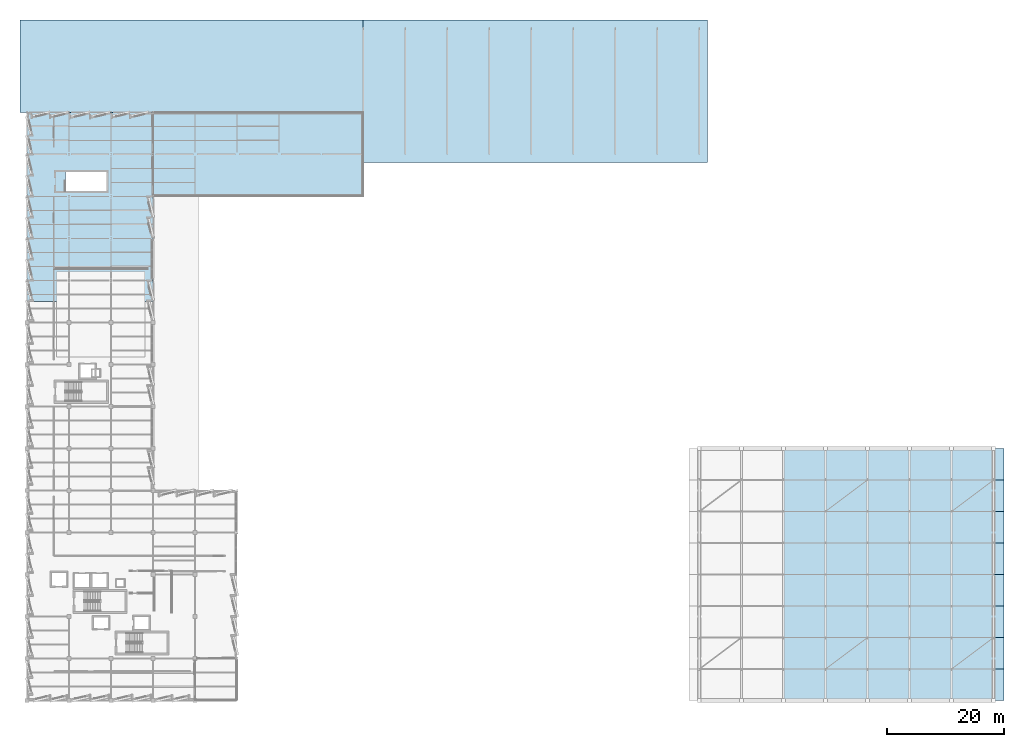
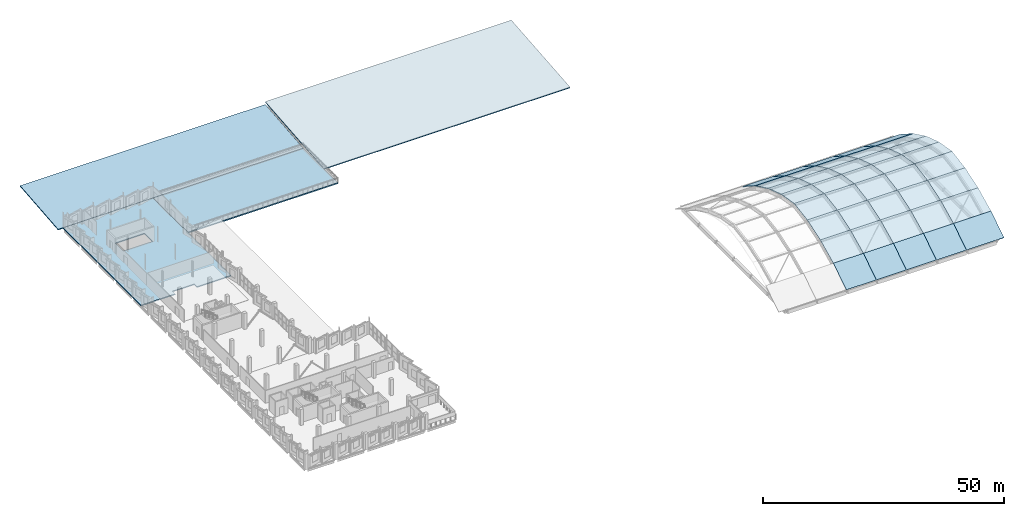
# One storey, part 25 of 38: 44 slabs.
"""IFC4 building model written with IfcOpenShell, lengths in metres."""

import ifcopenshell
import ifcopenshell.guid

model = None  # the IFC model being written
_history = None  # IfcOwnerHistory: only IFC2X3 demands one
_inside = {}  # id of a spatial element -> (the spatial element, [elements in it])
_under = {}  # id of a project, library or spatial element -> (it, [spatial elements below it])
_declared = {}  # id of a project -> (the project, [libraries it declares])
_typed = {}  # id of a type object -> (the type object, [elements of that type])
_made_of = {}  # id of a material, layer set ... -> (it, [elements and type objects made of it])


def new_model(schema):
    """Start an empty IFC model of exactly this schema.

    Asked for "IFC4X3", IfcOpenShell would pick the latest addendum, in which some entities
    have other attributes; the version numbers below select the first issue.
    IFC2X3 requires an IfcOwnerHistory on every rooted entity: one is made here for all.
    """
    global model, _history
    if schema == "IFC4X3":
        model = ifcopenshell.file(schema_version=(4, 3, 0, 0))
    else:
        model = ifcopenshell.file(schema=schema)
    _inside.clear()
    _under.clear()
    _declared.clear()
    _typed.clear()
    _made_of.clear()
    _history = None
    if model.schema == "IFC2X3":
        org = make("IfcOrganization", Name="unknown")
        user = make(
            "IfcPersonAndOrganization",
            ThePerson=make("IfcPerson", FamilyName="unknown"),
            TheOrganization=org,
        )
        app = make(
            "IfcApplication",
            ApplicationDeveloper=org,
            Version="unknown",
            ApplicationFullName="unknown",
            ApplicationIdentifier="unknown",
        )
        _history = make(
            "IfcOwnerHistory",
            OwningUser=user,
            OwningApplication=app,
            ChangeAction="ADDED",
            CreationDate=0,
        )
    return model


def make(cls, **values):
    """One entity of the class cls with the attributes given. An attribute that is None is left unset."""
    return model.create_entity(
        cls, **{name: value for name, value in values.items() if value is not None}
    )


def rooted(cls, **values):
    """An entity with a GlobalId (a new one), such as an element, a storey or a relation."""
    return make(cls, GlobalId=ifcopenshell.guid.new(), OwnerHistory=_history, **values)


def si_unit(unit_type, name, prefix=None):
    """IfcSIUnit, for example si_unit("LENGTHUNIT", "METRE", prefix="MILLI")."""
    return make("IfcSIUnit", UnitType=unit_type, Prefix=prefix, Name=name)


def assignment(units):
    """IfcUnitAssignment: the units of a project."""
    return None if units is None else make("IfcUnitAssignment", Units=units)


def point(xyz):
    """IfcCartesianPoint."""
    return None if xyz is None else make("IfcCartesianPoint", Coordinates=xyz)


def direction(xyz):
    """IfcDirection."""
    return None if xyz is None else make("IfcDirection", DirectionRatios=xyz)


def frame(location, z_axis=None, x_axis=None):
    """IfcAxis2Placement3D, a coordinate frame: its origin and axes. An axis left out is left unset."""
    return make(
        "IfcAxis2Placement3D",
        Location=point(location),
        Axis=direction(z_axis),
        RefDirection=direction(x_axis),
    )


def origin():
    """The frame at (0, 0, 0) with its axes left unset."""
    return frame((0.0, 0.0, 0.0))


def place(relative_to, where):
    """IfcLocalPlacement: puts the frame where relative to a parent placement (None: the world)."""
    return make(
        "IfcLocalPlacement", PlacementRelTo=relative_to, RelativePlacement=where
    )


def context(
    kind, dimensions, precision=None, world=None, true_north=None, identifier=None
):
    """IfcGeometricRepresentationContext, for example the 3D "Model" context."""
    return make(
        "IfcGeometricRepresentationContext",
        ContextIdentifier=identifier,
        ContextType=kind,
        CoordinateSpaceDimension=dimensions,
        Precision=precision,
        WorldCoordinateSystem=world,
        TrueNorth=true_north,
    )


def subcontext(parent, identifier, kind, view, scale=None):
    """IfcGeometricRepresentationSubContext, for example "Body" below "Model"."""
    return make(
        "IfcGeometricRepresentationSubContext",
        ContextIdentifier=identifier,
        ContextType=kind,
        ParentContext=parent,
        TargetScale=scale,
        TargetView=view,
    )


def project(units=None, contexts=None):
    """IfcProject with its units and contexts."""
    return rooted(
        "IfcProject",
        Name="project",
        RepresentationContexts=contexts,
        UnitsInContext=assignment(units),
    )


def spatial(cls, under=None, at=None, **own):
    """A site, building, storey or space (cls), placed at a placement, below another one or the project."""
    s = rooted(cls, ObjectPlacement=at, **own)
    if under is not None:
        _under.setdefault(under.id(), (under, []))[1].append(s)
    return s


def polyline(points):
    """IfcPolyline through the points."""
    return make("IfcPolyline", Points=[point(p) for p in points])


def outline(outer, holes=None, kind="AREA"):
    """IfcArbitraryClosedProfileDef: a profile drawn as a closed curve; with holes, ...WithVoids."""
    if holes is None:
        return make("IfcArbitraryClosedProfileDef", ProfileType=kind, OuterCurve=outer)
    return make(
        "IfcArbitraryProfileDefWithVoids",
        ProfileType=kind,
        OuterCurve=outer,
        InnerCurves=holes,
    )


def extrude(swept, where, along, depth):
    """IfcExtrudedAreaSolid: the profile swept, set in the frame where, extruded along a direction by depth."""
    return make(
        "IfcExtrudedAreaSolid",
        SweptArea=swept,
        Position=where,
        ExtrudedDirection=direction(along),
        Depth=depth,
    )


def shape(context_of_items, identifier, shape_type, items):
    """IfcShapeRepresentation: the items that make up one representation, for example the "Body"."""
    return make(
        "IfcShapeRepresentation",
        ContextOfItems=context_of_items,
        RepresentationIdentifier=identifier,
        RepresentationType=shape_type,
        Items=items,
    )


def material(Name=None, Category=None):
    """IfcMaterial."""
    return make("IfcMaterial", Name=Name, Category=Category)


def layer(
    of_material, thickness, ventilated=None, Name=None, Category=None, Priority=None
):
    """IfcMaterialLayer: one layer of a wall or slab, of a material (None: an air gap)."""
    return make(
        "IfcMaterialLayer",
        Material=of_material,
        LayerThickness=thickness,
        IsVentilated=ventilated,
        Name=Name,
        Category=Category,
        Priority=Priority,
    )


def layer_set(layers, Name=None):
    """IfcMaterialLayerSet."""
    return make("IfcMaterialLayerSet", MaterialLayers=layers, LayerSetName=Name)


def made_of(thing, what):
    """Note that an element or type object is made of a material, layer set ...; save() writes the relation."""
    if what is not None:
        _made_of.setdefault(what.id(), (what, []))[1].append(thing)
    return thing


def type_object(cls, material=None, **own):
    """A type object (cls), such as IfcWallType, which elements share."""
    return made_of(rooted(cls, **own), material)


def element(
    cls,
    number,
    at=None,
    inside=None,
    cuts=None,
    type_object=None,
    material=None,
    context=None,
    identifier="Body",
    shape_type=None,
    held_by="IfcProductDefinitionShape",
    body=None,
    shapes=None,
    **own,
):
    """One element of the class cls, such as IfcWall. Its Tag is "e" and its number.

    at: its placement. inside: the storey or other place that contains it. cuts: it is an
    opening in that element (IfcRelVoidsElement). A single representation is given by context,
    identifier, shape_type and body (its items); several are given by shapes. held_by: the class
    of the entity that holds the representations. save() writes the other relations.
    """
    e = rooted(cls, Tag="e%d" % number, ObjectPlacement=at, **own)
    if body is not None:
        shapes = [shape(context, identifier, shape_type, body)]
    if shapes is not None:
        e.Representation = make(held_by, Representations=shapes)
    if inside is not None:
        _inside.setdefault(inside.id(), (inside, []))[1].append(e)
    if cuts is not None:
        rooted(
            "IfcRelVoidsElement", RelatingBuildingElement=cuts, RelatedOpeningElement=e
        )
    if type_object is not None:
        _typed.setdefault(type_object.id(), (type_object, []))[1].append(e)
    return made_of(e, material)


def aggregate(whole, parts):
    """IfcRelAggregates: a whole, such as a stair, and the parts it consists of."""
    return rooted("IfcRelAggregates", RelatingObject=whole, RelatedObjects=parts)


def save(model, path):
    """Write the relations noted so far, then the file.

    IfcRelAggregates (storeys below a building ...), IfcRelContainedInSpatialStructure (elements
    in a storey), IfcRelDefinesByType, IfcRelAssociatesMaterial and IfcRelDeclares: one each for
    every whole, place, type object, material and project.
    """
    for whole, parts in _under.values():
        aggregate(whole, parts)
    for where, things in _inside.values():
        rooted(
            "IfcRelContainedInSpatialStructure",
            RelatedElements=things,
            RelatingStructure=where,
        )
    for kind, things in _typed.values():
        rooted("IfcRelDefinesByType", RelatedObjects=things, RelatingType=kind)
    for what, things in _made_of.values():
        rooted("IfcRelAssociatesMaterial", RelatedObjects=things, RelatingMaterial=what)
    for by, libraries in _declared.values():
        rooted("IfcRelDeclares", RelatingContext=by, RelatedDefinitions=libraries)
    model.write(path)


model = new_model("IFC4")

# Units and contexts
model_context = context("Model", 3, precision=1e-05, world=origin(), true_north=direction((0.0, 1.0)))
body_context = subcontext(model_context, "Body", "Model", "MODEL_VIEW")
ifc_project = project(units=[si_unit("LENGTHUNIT", "METRE"), si_unit("AREAUNIT", "SQUARE_METRE"), si_unit("VOLUMEUNIT", "CUBIC_METRE"), si_unit("PLANEANGLEUNIT", "RADIAN"), si_unit("MASSUNIT", "GRAM", prefix="KILO")], contexts=[model_context])

# Site, building, storey
site_placement = place(None, origin())
site = spatial("IfcSite", under=ifc_project, at=site_placement, CompositionType="ELEMENT")
building_placement = place(site_placement, origin())
building = spatial("IfcBuilding", under=site, at=building_placement, Name="Kalmorath City Hall", CompositionType="ELEMENT")
storey_placement = place(building_placement, frame((0.0, 0.0, 18.89990234375)))
storey = spatial("IfcBuildingStorey", under=building, at=storey_placement, Name="L04", CompositionType="ELEMENT", Elevation=18.89990234375)

# Slabs
ifc_material_1 = material(Name="Concrete C40/50", Category="concrete")
ifc_layer_1 = layer(ifc_material_1, 0.25)
ifc_layer_set_1 = layer_set([ifc_layer_1], Name="Concrete C40/50")
slab_type_1 = type_object("IfcSlabType", Name="Concrete municipal wing floor slab 250", PredefinedType="FLOOR", material=ifc_layer_set_1)
slab_1_placement = place(storey_placement, frame((0.0, 0.0, -0.25)))
element("IfcSlab", 1, at=slab_1_placement, inside=storey, type_object=slab_type_1, Name="L04 West Sawtooth Wing and Civic Storm Arcade slab FS5-2", PredefinedType="FLOOR", context=body_context, shape_type="SweptSolid", body=[
    extrude(outline(polyline([(21.60009765625, 100.800048828125), (21.60009765625, 68.39990234375), (13.39990234375, 68.39990234375), (13.39990234375, 69.550048828125), (8.199951171875, 69.550048828125), (8.199951171875, 68.39990234375), (0.0, 68.39990234375), (0.0, 100.800048828125), (21.60009765625, 100.800048828125)]), holes=[polyline([(6.590087890625, 87.300048828125), (13.60009765625, 87.300048828125), (13.60009765625, 90.60009765625), (6.590087890625, 90.60009765625), (6.590087890625, 87.300048828125)])]), origin(), (0.0, 0.0, 1.0), 0.25),
])
ifc_material_2 = material(Name="Concrete C50/60", Category="concrete")
ifc_layer_2 = layer(ifc_material_2, 0.18994140625)
ifc_layer_set_2 = layer_set([ifc_layer_2], Name="Concrete C50/60")
slab_type_2 = type_object("IfcSlabType", Name="Concrete parabolic thin shell roof 190", PredefinedType="ROOF", material=ifc_layer_set_2)
slab_2_placement = place(storey_placement, frame((129.60009765625, 0.0, 0.0), z_axis=(0.0, -0.542484111101, 0.840066062404), x_axis=(1.0, 0.0, 0.0)))
element("IfcSlab", 2, at=slab_2_placement, inside=storey, type_object=slab_type_2, Name="Council Chamber parabolic shell panel B3.S1", PredefinedType="ROOF", context=body_context, shape_type="SweptSolid", body=[
    extrude(outline(polyline([(0.0, 0.0), (7.199951171875, 0.0), (7.199951171875, 6.427949640407034), (0.0, 6.427949640407034), (0.0, 0.0)])), origin(), (0.0, 0.0, -1.0), 0.18994140625),
])
slab_3_placement = place(storey_placement, frame((129.60009765625, 5.39990234375, 3.487060546875), z_axis=(0.0, -0.437741977264, 0.899100640274), x_axis=(1.0, 0.0, 0.0)))
element("IfcSlab", 3, at=slab_3_placement, inside=storey, type_object=slab_type_2, Name="Council Chamber parabolic shell panel B3.S2", PredefinedType="ROOF", context=body_context, shape_type="SweptSolid", body=[
    extrude(outline(polyline([(0.0, 0.0), (7.199951171875, 0.0), (7.199951171875, 6.006164652191218), (0.0, 6.006164652191218), (0.0, 0.0)])), origin(), (0.0, 0.0, -1.0), 0.18994140625),
])
slab_4_placement = place(storey_placement, frame((129.60009765625, 10.800048828125, 6.1162109375), z_axis=(0.0, -0.311635880147, 0.950201598717), x_axis=(1.0, 0.0, 0.0)))
element("IfcSlab", 4, at=slab_4_placement, inside=storey, type_object=slab_type_2, Name="Council Chamber parabolic shell panel B3.S3", PredefinedType="ROOF", context=body_context, shape_type="SweptSolid", body=[
    extrude(outline(polyline([(0.0, 0.0), (7.199951171875, 0.0), (7.199951171875, 5.682901766361487), (0.0, 5.682901766361487), (0.0, 0.0)])), origin(), (0.0, 0.0, -1.0), 0.18994140625),
])
slab_5_placement = place(storey_placement, frame((129.60009765625, 16.199951171875, 7.88720703125), z_axis=(0.0, -0.166675620908, 0.986011783598), x_axis=(1.0, 0.0, 0.0)))
element("IfcSlab", 5, at=slab_5_placement, inside=storey, type_object=slab_type_2, Name="Council Chamber parabolic shell panel B3.S4", PredefinedType="ROOF", context=body_context, shape_type="SweptSolid", body=[
    extrude(outline(polyline([(0.0, 0.0), (7.199951171875, 0.0), (7.199951171875, 5.4767565400362335), (0.0, 5.4767565400362335), (0.0, 0.0)])), origin(), (0.0, 0.0, -1.0), 0.18994140625),
])
slab_6_placement = place(storey_placement, frame((129.60009765625, 21.60009765625, 8.800048828125), z_axis=(0.0, 0.166682947291, 0.986010545117), x_axis=(1.0, 0.0, 0.0)))
element("IfcSlab", 6, at=slab_6_placement, inside=storey, type_object=slab_type_2, Name="Council Chamber parabolic shell panel B3.S5", PredefinedType="ROOF", context=body_context, shape_type="SweptSolid", body=[
    extrude(outline(polyline([(0.0, 0.0), (7.199951171875, 0.0), (7.199951171875, 5.476515814654306), (0.0, 5.476515814654306), (0.0, 0.0)])), origin(), (0.0, 0.0, -1.0), 0.18994140625),
])
slab_7_placement = place(storey_placement, frame((129.60009765625, 27.0, 7.88720703125), z_axis=(0.0, 0.311635880147, 0.950201598717), x_axis=(1.0, 0.0, 0.0)))
element("IfcSlab", 7, at=slab_7_placement, inside=storey, type_object=slab_type_2, Name="Council Chamber parabolic shell panel B3.S6", PredefinedType="ROOF", context=body_context, shape_type="SweptSolid", body=[
    extrude(outline(polyline([(0.0, 0.0), (7.199951171875, 0.0), (7.199951171875, 5.682901766361487), (0.0, 5.682901766361487), (0.0, 0.0)])), origin(), (0.0, 0.0, -1.0), 0.18994140625),
])
slab_8_placement = place(storey_placement, frame((129.60009765625, 32.39990234375, 6.1162109375), z_axis=(0.0, 0.437741977264, 0.899100640274), x_axis=(1.0, 0.0, 0.0)))
element("IfcSlab", 8, at=slab_8_placement, inside=storey, type_object=slab_type_2, Name="Council Chamber parabolic shell panel B3.S7", PredefinedType="ROOF", context=body_context, shape_type="SweptSolid", body=[
    extrude(outline(polyline([(0.0, 0.0), (7.199951171875, 0.0), (7.199951171875, 6.006164652191218), (0.0, 6.006164652191218), (0.0, 0.0)])), origin(), (0.0, 0.0, -1.0), 0.18994140625),
])
for number, where, z_axis, x_axis, name in (
    (9, (129.60009765625, 37.800048828125, 3.487060546875), (0.0, 0.542484111101, 0.840066062404), (1.0, 0.0, 0.0), "Council Chamber parabolic shell panel B3.S8"),
    (10, (136.800048828125, 0.0, 0.0), (0.0, -0.542484111101, 0.840066062404), (1.0, 0.0, 0.0), "Council Chamber parabolic shell panel B4.S1"),
):
    element("IfcSlab", number, at=place(storey_placement, frame(where, z_axis=z_axis, x_axis=x_axis)), inside=storey, type_object=slab_type_2, Name=name, PredefinedType="ROOF", context=body_context, shape_type="SweptSolid", body=[
        extrude(outline(polyline([(0.0, 0.0), (7.199951171875, 0.0), (7.199951171875, 6.427949640407034), (0.0, 6.427949640407034), (0.0, 0.0)])), origin(), (0.0, 0.0, -1.0), 0.18994140625),
    ])
slab_9_placement = place(storey_placement, frame((136.800048828125, 5.39990234375, 3.487060546875), z_axis=(0.0, -0.437741977264, 0.899100640274), x_axis=(1.0, 0.0, 0.0)))
element("IfcSlab", 11, at=slab_9_placement, inside=storey, type_object=slab_type_2, Name="Council Chamber parabolic shell panel B4.S2", PredefinedType="ROOF", context=body_context, shape_type="SweptSolid", body=[
    extrude(outline(polyline([(0.0, 0.0), (7.199951171875, 0.0), (7.199951171875, 6.006164652191218), (0.0, 6.006164652191218), (0.0, 0.0)])), origin(), (0.0, 0.0, -1.0), 0.18994140625),
])
slab_10_placement = place(storey_placement, frame((136.800048828125, 10.800048828125, 6.1162109375), z_axis=(0.0, -0.311635880147, 0.950201598717), x_axis=(1.0, 0.0, 0.0)))
element("IfcSlab", 12, at=slab_10_placement, inside=storey, type_object=slab_type_2, Name="Council Chamber parabolic shell panel B4.S3", PredefinedType="ROOF", context=body_context, shape_type="SweptSolid", body=[
    extrude(outline(polyline([(0.0, 0.0), (7.199951171875, 0.0), (7.199951171875, 5.682901766361487), (0.0, 5.682901766361487), (0.0, 0.0)])), origin(), (0.0, 0.0, -1.0), 0.18994140625),
])
slab_11_placement = place(storey_placement, frame((136.800048828125, 16.199951171875, 7.88720703125), z_axis=(0.0, -0.166675620908, 0.986011783598), x_axis=(1.0, 0.0, 0.0)))
element("IfcSlab", 13, at=slab_11_placement, inside=storey, type_object=slab_type_2, Name="Council Chamber parabolic shell panel B4.S4", PredefinedType="ROOF", context=body_context, shape_type="SweptSolid", body=[
    extrude(outline(polyline([(0.0, 0.0), (7.199951171875, 0.0), (7.199951171875, 5.4767565400362335), (0.0, 5.4767565400362335), (0.0, 0.0)])), origin(), (0.0, 0.0, -1.0), 0.18994140625),
])
slab_12_placement = place(storey_placement, frame((136.800048828125, 21.60009765625, 8.800048828125), z_axis=(0.0, 0.166682947291, 0.986010545117), x_axis=(1.0, 0.0, 0.0)))
element("IfcSlab", 14, at=slab_12_placement, inside=storey, type_object=slab_type_2, Name="Council Chamber parabolic shell panel B4.S5", PredefinedType="ROOF", context=body_context, shape_type="SweptSolid", body=[
    extrude(outline(polyline([(0.0, 0.0), (7.199951171875, 0.0), (7.199951171875, 5.476515814654306), (0.0, 5.476515814654306), (0.0, 0.0)])), origin(), (0.0, 0.0, -1.0), 0.18994140625),
])
slab_13_placement = place(storey_placement, frame((136.800048828125, 27.0, 7.88720703125), z_axis=(0.0, 0.311635880147, 0.950201598717), x_axis=(1.0, 0.0, 0.0)))
element("IfcSlab", 15, at=slab_13_placement, inside=storey, type_object=slab_type_2, Name="Council Chamber parabolic shell panel B4.S6", PredefinedType="ROOF", context=body_context, shape_type="SweptSolid", body=[
    extrude(outline(polyline([(0.0, 0.0), (7.199951171875, 0.0), (7.199951171875, 5.682901766361487), (0.0, 5.682901766361487), (0.0, 0.0)])), origin(), (0.0, 0.0, -1.0), 0.18994140625),
])
slab_14_placement = place(storey_placement, frame((136.800048828125, 32.39990234375, 6.1162109375), z_axis=(0.0, 0.437741977264, 0.899100640274), x_axis=(1.0, 0.0, 0.0)))
element("IfcSlab", 16, at=slab_14_placement, inside=storey, type_object=slab_type_2, Name="Council Chamber parabolic shell panel B4.S7", PredefinedType="ROOF", context=body_context, shape_type="SweptSolid", body=[
    extrude(outline(polyline([(0.0, 0.0), (7.199951171875, 0.0), (7.199951171875, 6.006164652191218), (0.0, 6.006164652191218), (0.0, 0.0)])), origin(), (0.0, 0.0, -1.0), 0.18994140625),
])
for number, where, z_axis, x_axis, name in (
    (17, (136.800048828125, 37.800048828125, 3.487060546875), (0.0, 0.542484111101, 0.840066062404), (1.0, 0.0, 0.0), "Council Chamber parabolic shell panel B4.S8"),
    (18, (144.0, 0.0, 0.0), (0.0, -0.542484111101, 0.840066062404), (1.0, 0.0, 0.0), "Council Chamber parabolic shell panel B5.S1"),
):
    element("IfcSlab", number, at=place(storey_placement, frame(where, z_axis=z_axis, x_axis=x_axis)), inside=storey, type_object=slab_type_2, Name=name, PredefinedType="ROOF", context=body_context, shape_type="SweptSolid", body=[
        extrude(outline(polyline([(0.0, 0.0), (7.199951171875, 0.0), (7.199951171875, 6.427949640407034), (0.0, 6.427949640407034), (0.0, 0.0)])), origin(), (0.0, 0.0, -1.0), 0.18994140625),
    ])
slab_15_placement = place(storey_placement, frame((144.0, 5.39990234375, 3.487060546875), z_axis=(0.0, -0.437741977264, 0.899100640274), x_axis=(1.0, 0.0, 0.0)))
element("IfcSlab", 19, at=slab_15_placement, inside=storey, type_object=slab_type_2, Name="Council Chamber parabolic shell panel B5.S2", PredefinedType="ROOF", context=body_context, shape_type="SweptSolid", body=[
    extrude(outline(polyline([(0.0, 0.0), (7.199951171875, 0.0), (7.199951171875, 6.006164652191218), (0.0, 6.006164652191218), (0.0, 0.0)])), origin(), (0.0, 0.0, -1.0), 0.18994140625),
])
slab_16_placement = place(storey_placement, frame((144.0, 10.800048828125, 6.1162109375), z_axis=(0.0, -0.311635880147, 0.950201598717), x_axis=(1.0, 0.0, 0.0)))
element("IfcSlab", 20, at=slab_16_placement, inside=storey, type_object=slab_type_2, Name="Council Chamber parabolic shell panel B5.S3", PredefinedType="ROOF", context=body_context, shape_type="SweptSolid", body=[
    extrude(outline(polyline([(0.0, 0.0), (7.199951171875, 0.0), (7.199951171875, 5.682901766361487), (0.0, 5.682901766361487), (0.0, 0.0)])), origin(), (0.0, 0.0, -1.0), 0.18994140625),
])
slab_17_placement = place(storey_placement, frame((144.0, 16.199951171875, 7.88720703125), z_axis=(0.0, -0.166675620908, 0.986011783598), x_axis=(1.0, 0.0, 0.0)))
element("IfcSlab", 21, at=slab_17_placement, inside=storey, type_object=slab_type_2, Name="Council Chamber parabolic shell panel B5.S4", PredefinedType="ROOF", context=body_context, shape_type="SweptSolid", body=[
    extrude(outline(polyline([(0.0, 0.0), (7.199951171875, 0.0), (7.199951171875, 5.4767565400362335), (0.0, 5.4767565400362335), (0.0, 0.0)])), origin(), (0.0, 0.0, -1.0), 0.18994140625),
])
slab_18_placement = place(storey_placement, frame((144.0, 21.60009765625, 8.800048828125), z_axis=(0.0, 0.166682947291, 0.986010545117), x_axis=(1.0, 0.0, 0.0)))
element("IfcSlab", 22, at=slab_18_placement, inside=storey, type_object=slab_type_2, Name="Council Chamber parabolic shell panel B5.S5", PredefinedType="ROOF", context=body_context, shape_type="SweptSolid", body=[
    extrude(outline(polyline([(0.0, 0.0), (7.199951171875, 0.0), (7.199951171875, 5.476515814654306), (0.0, 5.476515814654306), (0.0, 0.0)])), origin(), (0.0, 0.0, -1.0), 0.18994140625),
])
slab_19_placement = place(storey_placement, frame((144.0, 27.0, 7.88720703125), z_axis=(0.0, 0.311635880147, 0.950201598717), x_axis=(1.0, 0.0, 0.0)))
element("IfcSlab", 23, at=slab_19_placement, inside=storey, type_object=slab_type_2, Name="Council Chamber parabolic shell panel B5.S6", PredefinedType="ROOF", context=body_context, shape_type="SweptSolid", body=[
    extrude(outline(polyline([(0.0, 0.0), (7.199951171875, 0.0), (7.199951171875, 5.682901766361487), (0.0, 5.682901766361487), (0.0, 0.0)])), origin(), (0.0, 0.0, -1.0), 0.18994140625),
])
slab_20_placement = place(storey_placement, frame((144.0, 32.39990234375, 6.1162109375), z_axis=(0.0, 0.437741977264, 0.899100640274), x_axis=(1.0, 0.0, 0.0)))
element("IfcSlab", 24, at=slab_20_placement, inside=storey, type_object=slab_type_2, Name="Council Chamber parabolic shell panel B5.S7", PredefinedType="ROOF", context=body_context, shape_type="SweptSolid", body=[
    extrude(outline(polyline([(0.0, 0.0), (7.199951171875, 0.0), (7.199951171875, 6.006164652191218), (0.0, 6.006164652191218), (0.0, 0.0)])), origin(), (0.0, 0.0, -1.0), 0.18994140625),
])
for number, where, z_axis, x_axis, name in (
    (25, (144.0, 37.800048828125, 3.487060546875), (0.0, 0.542484111101, 0.840066062404), (1.0, 0.0, 0.0), "Council Chamber parabolic shell panel B5.S8"),
    (26, (151.199951171875, 0.0, 0.0), (0.0, -0.542484111101, 0.840066062404), (1.0, 0.0, 0.0), "Council Chamber parabolic shell panel B6.S1"),
):
    element("IfcSlab", number, at=place(storey_placement, frame(where, z_axis=z_axis, x_axis=x_axis)), inside=storey, type_object=slab_type_2, Name=name, PredefinedType="ROOF", context=body_context, shape_type="SweptSolid", body=[
        extrude(outline(polyline([(0.0, 0.0), (7.199951171875, 0.0), (7.199951171875, 6.427949640407034), (0.0, 6.427949640407034), (0.0, 0.0)])), origin(), (0.0, 0.0, -1.0), 0.18994140625),
    ])
slab_21_placement = place(storey_placement, frame((151.199951171875, 5.39990234375, 3.487060546875), z_axis=(0.0, -0.437741977264, 0.899100640274), x_axis=(1.0, 0.0, 0.0)))
element("IfcSlab", 27, at=slab_21_placement, inside=storey, type_object=slab_type_2, Name="Council Chamber parabolic shell panel B6.S2", PredefinedType="ROOF", context=body_context, shape_type="SweptSolid", body=[
    extrude(outline(polyline([(0.0, 0.0), (7.199951171875, 0.0), (7.199951171875, 6.006164652191218), (0.0, 6.006164652191218), (0.0, 0.0)])), origin(), (0.0, 0.0, -1.0), 0.18994140625),
])
slab_22_placement = place(storey_placement, frame((151.199951171875, 10.800048828125, 6.1162109375), z_axis=(0.0, -0.311635880147, 0.950201598717), x_axis=(1.0, 0.0, 0.0)))
element("IfcSlab", 28, at=slab_22_placement, inside=storey, type_object=slab_type_2, Name="Council Chamber parabolic shell panel B6.S3", PredefinedType="ROOF", context=body_context, shape_type="SweptSolid", body=[
    extrude(outline(polyline([(0.0, 0.0), (7.199951171875, 0.0), (7.199951171875, 5.682901766361487), (0.0, 5.682901766361487), (0.0, 0.0)])), origin(), (0.0, 0.0, -1.0), 0.18994140625),
])
slab_23_placement = place(storey_placement, frame((151.199951171875, 16.199951171875, 7.88720703125), z_axis=(0.0, -0.166675620908, 0.986011783598), x_axis=(1.0, 0.0, 0.0)))
element("IfcSlab", 29, at=slab_23_placement, inside=storey, type_object=slab_type_2, Name="Council Chamber parabolic shell panel B6.S4", PredefinedType="ROOF", context=body_context, shape_type="SweptSolid", body=[
    extrude(outline(polyline([(0.0, 0.0), (7.199951171875, 0.0), (7.199951171875, 5.4767565400362335), (0.0, 5.4767565400362335), (0.0, 0.0)])), origin(), (0.0, 0.0, -1.0), 0.18994140625),
])
slab_24_placement = place(storey_placement, frame((151.199951171875, 21.60009765625, 8.800048828125), z_axis=(0.0, 0.166682947291, 0.986010545117), x_axis=(1.0, 0.0, 0.0)))
element("IfcSlab", 30, at=slab_24_placement, inside=storey, type_object=slab_type_2, Name="Council Chamber parabolic shell panel B6.S5", PredefinedType="ROOF", context=body_context, shape_type="SweptSolid", body=[
    extrude(outline(polyline([(0.0, 0.0), (7.199951171875, 0.0), (7.199951171875, 5.476515814654306), (0.0, 5.476515814654306), (0.0, 0.0)])), origin(), (0.0, 0.0, -1.0), 0.18994140625),
])
slab_25_placement = place(storey_placement, frame((151.199951171875, 27.0, 7.88720703125), z_axis=(0.0, 0.311635880147, 0.950201598717), x_axis=(1.0, 0.0, 0.0)))
element("IfcSlab", 31, at=slab_25_placement, inside=storey, type_object=slab_type_2, Name="Council Chamber parabolic shell panel B6.S6", PredefinedType="ROOF", context=body_context, shape_type="SweptSolid", body=[
    extrude(outline(polyline([(0.0, 0.0), (7.199951171875, 0.0), (7.199951171875, 5.682901766361487), (0.0, 5.682901766361487), (0.0, 0.0)])), origin(), (0.0, 0.0, -1.0), 0.18994140625),
])
slab_26_placement = place(storey_placement, frame((151.199951171875, 32.39990234375, 6.1162109375), z_axis=(0.0, 0.437741977264, 0.899100640274), x_axis=(1.0, 0.0, 0.0)))
element("IfcSlab", 32, at=slab_26_placement, inside=storey, type_object=slab_type_2, Name="Council Chamber parabolic shell panel B6.S7", PredefinedType="ROOF", context=body_context, shape_type="SweptSolid", body=[
    extrude(outline(polyline([(0.0, 0.0), (7.199951171875, 0.0), (7.199951171875, 6.006164652191218), (0.0, 6.006164652191218), (0.0, 0.0)])), origin(), (0.0, 0.0, -1.0), 0.18994140625),
])
slab_27_placement = place(storey_placement, frame((151.199951171875, 37.800048828125, 3.487060546875), z_axis=(0.0, 0.542484111101, 0.840066062404), x_axis=(1.0, 0.0, 0.0)))
element("IfcSlab", 33, at=slab_27_placement, inside=storey, type_object=slab_type_2, Name="Council Chamber parabolic shell panel B6.S8", PredefinedType="ROOF", context=body_context, shape_type="SweptSolid", body=[
    extrude(outline(polyline([(0.0, 0.0), (7.199951171875, 0.0), (7.199951171875, 6.427949640407034), (0.0, 6.427949640407034), (0.0, 0.0)])), origin(), (0.0, 0.0, -1.0), 0.18994140625),
])
slab_28_placement = place(storey_placement, frame((158.39990234375, 0.0, 0.0), z_axis=(0.0, -0.542484111101, 0.840066062404), x_axis=(1.0, 0.0, 0.0)))
element("IfcSlab", 34, at=slab_28_placement, inside=storey, type_object=slab_type_2, Name="Council Chamber parabolic shell panel B7.S1", PredefinedType="ROOF", context=body_context, shape_type="SweptSolid", body=[
    extrude(outline(polyline([(0.0, 0.0), (9.0, 0.0), (9.0, 6.427949640407034), (0.0, 6.427949640407034), (0.0, 0.0)])), origin(), (0.0, 0.0, -1.0), 0.18994140625),
])
slab_29_placement = place(storey_placement, frame((158.39990234375, 5.39990234375, 3.487060546875), z_axis=(0.0, -0.437741977264, 0.899100640274), x_axis=(1.0, 0.0, 0.0)))
element("IfcSlab", 35, at=slab_29_placement, inside=storey, type_object=slab_type_2, Name="Council Chamber parabolic shell panel B7.S2", PredefinedType="ROOF", context=body_context, shape_type="SweptSolid", body=[
    extrude(outline(polyline([(0.0, 0.0), (9.0, 0.0), (9.0, 6.006164652191218), (0.0, 6.006164652191218), (0.0, 0.0)])), origin(), (0.0, 0.0, -1.0), 0.18994140625),
])
slab_30_placement = place(storey_placement, frame((158.39990234375, 10.800048828125, 6.1162109375), z_axis=(0.0, -0.311635880147, 0.950201598717), x_axis=(1.0, 0.0, 0.0)))
element("IfcSlab", 36, at=slab_30_placement, inside=storey, type_object=slab_type_2, Name="Council Chamber parabolic shell panel B7.S3", PredefinedType="ROOF", context=body_context, shape_type="SweptSolid", body=[
    extrude(outline(polyline([(0.0, 0.0), (9.0, 0.0), (9.0, 5.6829017663614865), (0.0, 5.6829017663614865), (0.0, 0.0)])), origin(), (0.0, 0.0, -1.0), 0.18994140625),
])
slab_31_placement = place(storey_placement, frame((158.39990234375, 16.199951171875, 7.88720703125), z_axis=(0.0, -0.166675620908, 0.986011783598), x_axis=(1.0, 0.0, 0.0)))
element("IfcSlab", 37, at=slab_31_placement, inside=storey, type_object=slab_type_2, Name="Council Chamber parabolic shell panel B7.S4", PredefinedType="ROOF", context=body_context, shape_type="SweptSolid", body=[
    extrude(outline(polyline([(0.0, 0.0), (9.0, 0.0), (9.0, 5.476756540036234), (0.0, 5.476756540036234), (0.0, 0.0)])), origin(), (0.0, 0.0, -1.0), 0.18994140625),
])
slab_32_placement = place(storey_placement, frame((158.39990234375, 21.60009765625, 8.800048828125), z_axis=(0.0, 0.166682947291, 0.986010545117), x_axis=(1.0, 0.0, 0.0)))
element("IfcSlab", 38, at=slab_32_placement, inside=storey, type_object=slab_type_2, Name="Council Chamber parabolic shell panel B7.S5", PredefinedType="ROOF", context=body_context, shape_type="SweptSolid", body=[
    extrude(outline(polyline([(0.0, 0.0), (9.0, 0.0), (9.0, 5.476515814654306), (0.0, 5.476515814654306), (0.0, 0.0)])), origin(), (0.0, 0.0, -1.0), 0.18994140625),
])
slab_33_placement = place(storey_placement, frame((158.39990234375, 27.0, 7.88720703125), z_axis=(0.0, 0.311635880147, 0.950201598717), x_axis=(1.0, 0.0, 0.0)))
element("IfcSlab", 39, at=slab_33_placement, inside=storey, type_object=slab_type_2, Name="Council Chamber parabolic shell panel B7.S6", PredefinedType="ROOF", context=body_context, shape_type="SweptSolid", body=[
    extrude(outline(polyline([(0.0, 0.0), (9.0, 0.0), (9.0, 5.6829017663614865), (0.0, 5.6829017663614865), (0.0, 0.0)])), origin(), (0.0, 0.0, -1.0), 0.18994140625),
])
slab_34_placement = place(storey_placement, frame((158.39990234375, 32.39990234375, 6.1162109375), z_axis=(0.0, 0.437741977264, 0.899100640274), x_axis=(1.0, 0.0, 0.0)))
element("IfcSlab", 40, at=slab_34_placement, inside=storey, type_object=slab_type_2, Name="Council Chamber parabolic shell panel B7.S7", PredefinedType="ROOF", context=body_context, shape_type="SweptSolid", body=[
    extrude(outline(polyline([(0.0, 0.0), (9.0, 0.0), (9.0, 6.006164652191218), (0.0, 6.006164652191218), (0.0, 0.0)])), origin(), (0.0, 0.0, -1.0), 0.18994140625),
])
slab_35_placement = place(storey_placement, frame((158.39990234375, 37.800048828125, 3.487060546875), z_axis=(0.0, 0.542484111101, 0.840066062404), x_axis=(1.0, 0.0, 0.0)))
element("IfcSlab", 41, at=slab_35_placement, inside=storey, type_object=slab_type_2, Name="Council Chamber parabolic shell panel B7.S8", PredefinedType="ROOF", context=body_context, shape_type="SweptSolid", body=[
    extrude(outline(polyline([(0.0, 0.0), (9.0, 0.0), (9.0, 6.427949640407034), (0.0, 6.427949640407034), (0.0, 0.0)])), origin(), (0.0, 0.0, -1.0), 0.18994140625),
])
ifc_material_3 = material(Name="Concrete C40/50", Category="concrete")
ifc_layer_3 = layer(ifc_material_3, 0.2900390625)
ifc_layer_set_3 = layer_set([ifc_layer_3], Name="Concrete C40/50")
slab_type_3 = type_object("IfcSlabType", Name="Concrete planted roof terrace slab 290", PredefinedType="FLOOR", material=ifc_layer_set_3)
slab_36_placement = place(storey_placement, frame((0.0, 0.0, -0.289794921875)))
element("IfcSlab", 42, at=slab_36_placement, inside=storey, type_object=slab_type_3, Name="L04 Courtyard Roof Garden slab", PredefinedType="FLOOR", context=body_context, shape_type="SweptSolid", body=[
    extrude(outline(polyline([(21.60009765625, 86.39990234375), (57.60009765625, 86.39990234375), (57.60009765625, 100.800048828125), (21.60009765625, 100.800048828125), (21.60009765625, 86.39990234375)])), origin(), (0.0, 0.0, 1.0), 0.289794921875),
])
ifc_material_4 = material(Name="Concrete C40/50", Category="concrete")
ifc_layer_4 = layer(ifc_material_4, 0.219970703125)
ifc_layer_set_4 = layer_set([ifc_layer_4], Name="Concrete C40/50")
slab_type_4 = type_object("IfcSlabType", Name="Concrete sloped hurricane roof slab 220", PredefinedType="ROOF", material=ifc_layer_set_4)
slab_37_placement = place(storey_placement, frame((-1.199951171875, 100.800048828125, 0.0), z_axis=(0.0, -0.0945114586, 0.995523773796), x_axis=(1.0, 0.0, 0.0)))
element("IfcSlab", 43, at=slab_37_placement, inside=storey, type_object=slab_type_4, Name="Northwest step-back sloped roof", PredefinedType="ROOF", context=body_context, shape_type="SweptSolid", body=[
    extrude(outline(polyline([(0.0, 0.0), (58.800048828125, 0.0), (58.800048828125, 15.871091423438221), (0.0, 15.871091423438221), (0.0, 0.0)])), origin(), (0.0, 0.0, -1.0), 0.219970703125),
])
slab_38_placement = place(storey_placement, frame((57.60009765625, 92.199951171875, 0.0), z_axis=(0.0, -0.089807031709, 0.995959184433), x_axis=(1.0, 0.0, 0.0)))
element("IfcSlab", 44, at=slab_38_placement, inside=storey, type_object=slab_type_4, Name="Basalt Committee Wing sloped roof", PredefinedType="ROOF", context=body_context, shape_type="SweptSolid", body=[
    extrude(outline(polyline([(0.0, 0.0), (59.0, 0.0), (59.0, 24.499143002809397), (0.0, 24.499143002809397), (0.0, 0.0)])), origin(), (0.0, 0.0, -1.0), 0.219970703125),
])

save(model, "model.ifc")
